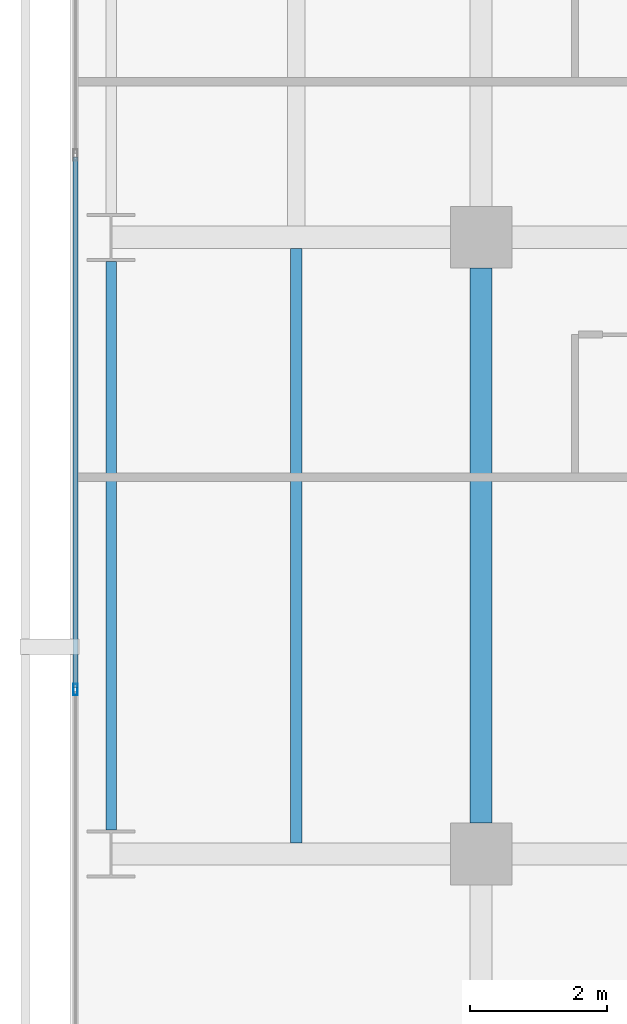
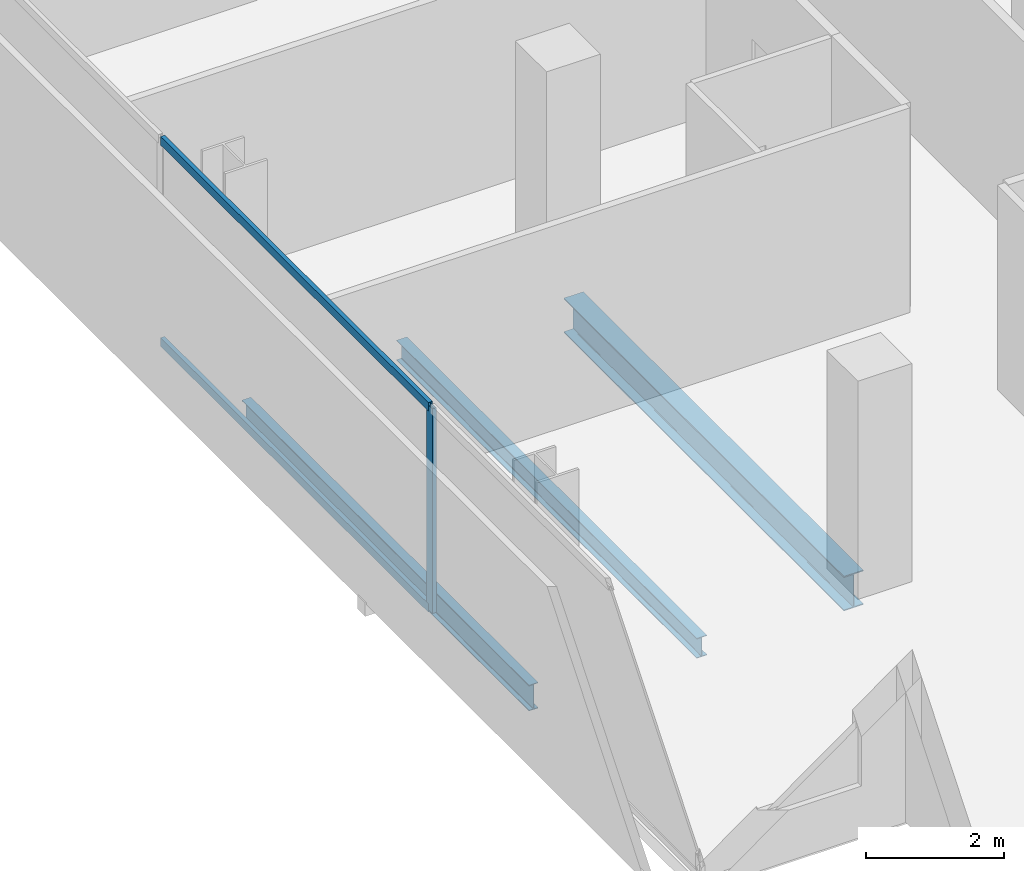
# One storey, part 5 of 40: 3 beams, 3 members, 1 element without a shape of its own.
"""IFC4 building model written with IfcOpenShell, lengths in metres."""

import ifcopenshell
import ifcopenshell.guid

model = None  # the IFC model being written
_history = None  # IfcOwnerHistory: only IFC2X3 demands one
_inside = {}  # id of a spatial element -> (the spatial element, [elements in it])
_under = {}  # id of a project, library or spatial element -> (it, [spatial elements below it])
_declared = {}  # id of a project -> (the project, [libraries it declares])
_typed = {}  # id of a type object -> (the type object, [elements of that type])
_made_of = {}  # id of a material, layer set ... -> (it, [elements and type objects made of it])


def new_model(schema):
    """Start an empty IFC model of exactly this schema.

    Asked for "IFC4X3", IfcOpenShell would pick the latest addendum, in which some entities
    have other attributes; the version numbers below select the first issue.
    IFC2X3 requires an IfcOwnerHistory on every rooted entity: one is made here for all.
    """
    global model, _history
    if schema == "IFC4X3":
        model = ifcopenshell.file(schema_version=(4, 3, 0, 0))
    else:
        model = ifcopenshell.file(schema=schema)
    _inside.clear()
    _under.clear()
    _declared.clear()
    _typed.clear()
    _made_of.clear()
    _history = None
    if model.schema == "IFC2X3":
        org = make("IfcOrganization", Name="unknown")
        user = make(
            "IfcPersonAndOrganization",
            ThePerson=make("IfcPerson", FamilyName="unknown"),
            TheOrganization=org,
        )
        app = make(
            "IfcApplication",
            ApplicationDeveloper=org,
            Version="unknown",
            ApplicationFullName="unknown",
            ApplicationIdentifier="unknown",
        )
        _history = make(
            "IfcOwnerHistory",
            OwningUser=user,
            OwningApplication=app,
            ChangeAction="ADDED",
            CreationDate=0,
        )
    return model


def make(cls, **values):
    """One entity of the class cls with the attributes given. An attribute that is None is left unset."""
    return model.create_entity(
        cls, **{name: value for name, value in values.items() if value is not None}
    )


def rooted(cls, **values):
    """An entity with a GlobalId (a new one), such as an element, a storey or a relation."""
    return make(cls, GlobalId=ifcopenshell.guid.new(), OwnerHistory=_history, **values)


def si_unit(unit_type, name, prefix=None):
    """IfcSIUnit, for example si_unit("LENGTHUNIT", "METRE", prefix="MILLI")."""
    return make("IfcSIUnit", UnitType=unit_type, Prefix=prefix, Name=name)


def assignment(units):
    """IfcUnitAssignment: the units of a project."""
    return None if units is None else make("IfcUnitAssignment", Units=units)


def point(xyz):
    """IfcCartesianPoint."""
    return None if xyz is None else make("IfcCartesianPoint", Coordinates=xyz)


def direction(xyz):
    """IfcDirection."""
    return None if xyz is None else make("IfcDirection", DirectionRatios=xyz)


def frame(location, z_axis=None, x_axis=None):
    """IfcAxis2Placement3D, a coordinate frame: its origin and axes. An axis left out is left unset."""
    return make(
        "IfcAxis2Placement3D",
        Location=point(location),
        Axis=direction(z_axis),
        RefDirection=direction(x_axis),
    )


def frame_2d(location, x_axis=None):
    """IfcAxis2Placement2D, a coordinate frame in the plane: its origin and x axis."""
    return make(
        "IfcAxis2Placement2D", Location=point(location), RefDirection=direction(x_axis)
    )


def origin():
    """The frame at (0, 0, 0) with its axes left unset."""
    return frame((0.0, 0.0, 0.0))


def origin_2d():
    """The frame at (0, 0) in the plane with its x axis left unset."""
    return frame_2d((0.0, 0.0))


def place(relative_to, where):
    """IfcLocalPlacement: puts the frame where relative to a parent placement (None: the world)."""
    return make(
        "IfcLocalPlacement", PlacementRelTo=relative_to, RelativePlacement=where
    )


def context(
    kind, dimensions, precision=None, world=None, true_north=None, identifier=None
):
    """IfcGeometricRepresentationContext, for example the 3D "Model" context."""
    return make(
        "IfcGeometricRepresentationContext",
        ContextIdentifier=identifier,
        ContextType=kind,
        CoordinateSpaceDimension=dimensions,
        Precision=precision,
        WorldCoordinateSystem=world,
        TrueNorth=true_north,
    )


def subcontext(parent, identifier, kind, view, scale=None):
    """IfcGeometricRepresentationSubContext, for example "Body" below "Model"."""
    return make(
        "IfcGeometricRepresentationSubContext",
        ContextIdentifier=identifier,
        ContextType=kind,
        ParentContext=parent,
        TargetScale=scale,
        TargetView=view,
    )


def project(units=None, contexts=None):
    """IfcProject with its units and contexts."""
    return rooted(
        "IfcProject",
        Name="project",
        RepresentationContexts=contexts,
        UnitsInContext=assignment(units),
    )


def spatial(cls, under=None, at=None, **own):
    """A site, building, storey or space (cls), placed at a placement, below another one or the project."""
    s = rooted(cls, ObjectPlacement=at, **own)
    if under is not None:
        _under.setdefault(under.id(), (under, []))[1].append(s)
    return s


def profile(cls, at=None, kind="AREA", **sizes):
    """A parametric profile (cls). Its sizes go by their IFC names, for example OverallWidth=200.0."""
    return make(cls, ProfileType=kind, Position=at, **sizes)


def hollow_rectangle(**sizes):
    """IfcRectangleHollowProfileDef."""
    return profile("IfcRectangleHollowProfileDef", **sizes)


def i_section(**sizes):
    """IfcIShapeProfileDef."""
    return profile("IfcIShapeProfileDef", **sizes)


def extrude(swept, where, along, depth):
    """IfcExtrudedAreaSolid: the profile swept, set in the frame where, extruded along a direction by depth."""
    return make(
        "IfcExtrudedAreaSolid",
        SweptArea=swept,
        Position=where,
        ExtrudedDirection=direction(along),
        Depth=depth,
    )


def shape(context_of_items, identifier, shape_type, items):
    """IfcShapeRepresentation: the items that make up one representation, for example the "Body"."""
    return make(
        "IfcShapeRepresentation",
        ContextOfItems=context_of_items,
        RepresentationIdentifier=identifier,
        RepresentationType=shape_type,
        Items=items,
    )


def material(Name=None, Category=None):
    """IfcMaterial."""
    return make("IfcMaterial", Name=Name, Category=Category)


def layer(
    of_material, thickness, ventilated=None, Name=None, Category=None, Priority=None
):
    """IfcMaterialLayer: one layer of a wall or slab, of a material (None: an air gap)."""
    return make(
        "IfcMaterialLayer",
        Material=of_material,
        LayerThickness=thickness,
        IsVentilated=ventilated,
        Name=Name,
        Category=Category,
        Priority=Priority,
    )


def layer_set(layers, Name=None):
    """IfcMaterialLayerSet."""
    return make("IfcMaterialLayerSet", MaterialLayers=layers, LayerSetName=Name)


def material_profile(
    of_material, cross_section, Name=None, Category=None, Priority=None
):
    """IfcMaterialProfile: a cross section and its material."""
    return make(
        "IfcMaterialProfile",
        Name=Name,
        Material=of_material,
        Profile=cross_section,
        Priority=Priority,
        Category=Category,
    )


def profile_set(profiles, Name=None, composite=None):
    """IfcMaterialProfileSet."""
    return make(
        "IfcMaterialProfileSet",
        Name=Name,
        MaterialProfiles=profiles,
        CompositeProfile=composite,
    )


def made_of(thing, what):
    """Note that an element or type object is made of a material, layer set ...; save() writes the relation."""
    if what is not None:
        _made_of.setdefault(what.id(), (what, []))[1].append(thing)
    return thing


def type_object(cls, material=None, **own):
    """A type object (cls), such as IfcWallType, which elements share."""
    return made_of(rooted(cls, **own), material)


def element(
    cls,
    number,
    at=None,
    inside=None,
    cuts=None,
    type_object=None,
    material=None,
    context=None,
    identifier="Body",
    shape_type=None,
    held_by="IfcProductDefinitionShape",
    body=None,
    shapes=None,
    **own,
):
    """One element of the class cls, such as IfcWall. Its Tag is "e" and its number.

    at: its placement. inside: the storey or other place that contains it. cuts: it is an
    opening in that element (IfcRelVoidsElement). A single representation is given by context,
    identifier, shape_type and body (its items); several are given by shapes. held_by: the class
    of the entity that holds the representations. save() writes the other relations.
    """
    e = rooted(cls, Tag="e%d" % number, ObjectPlacement=at, **own)
    if body is not None:
        shapes = [shape(context, identifier, shape_type, body)]
    if shapes is not None:
        e.Representation = make(held_by, Representations=shapes)
    if inside is not None:
        _inside.setdefault(inside.id(), (inside, []))[1].append(e)
    if cuts is not None:
        rooted(
            "IfcRelVoidsElement", RelatingBuildingElement=cuts, RelatedOpeningElement=e
        )
    if type_object is not None:
        _typed.setdefault(type_object.id(), (type_object, []))[1].append(e)
    return made_of(e, material)


def aggregate(whole, parts):
    """IfcRelAggregates: a whole, such as a stair, and the parts it consists of."""
    return rooted("IfcRelAggregates", RelatingObject=whole, RelatedObjects=parts)


def save(model, path):
    """Write the relations noted so far, then the file.

    IfcRelAggregates (storeys below a building ...), IfcRelContainedInSpatialStructure (elements
    in a storey), IfcRelDefinesByType, IfcRelAssociatesMaterial and IfcRelDeclares: one each for
    every whole, place, type object, material and project.
    """
    for whole, parts in _under.values():
        aggregate(whole, parts)
    for where, things in _inside.values():
        rooted(
            "IfcRelContainedInSpatialStructure",
            RelatedElements=things,
            RelatingStructure=where,
        )
    for kind, things in _typed.values():
        rooted("IfcRelDefinesByType", RelatedObjects=things, RelatingType=kind)
    for what, things in _made_of.values():
        rooted("IfcRelAssociatesMaterial", RelatedObjects=things, RelatingMaterial=what)
    for by, libraries in _declared.values():
        rooted("IfcRelDeclares", RelatingContext=by, RelatedDefinitions=libraries)
    model.write(path)


model = new_model("IFC4")

# Units and contexts
model_context = context("Model", 3, precision=1e-05, world=origin(), true_north=direction((0.0, 1.0)))
body_context = subcontext(model_context, "Body", "Model", "MODEL_VIEW")
ifc_project = project(units=[si_unit("LENGTHUNIT", "METRE"), si_unit("AREAUNIT", "SQUARE_METRE"), si_unit("VOLUMEUNIT", "CUBIC_METRE"), si_unit("PLANEANGLEUNIT", "RADIAN"), si_unit("MASSUNIT", "GRAM", prefix="KILO")], contexts=[model_context])

# Site, building, storey
site_placement = place(None, origin())
site = spatial("IfcSite", under=ifc_project, at=site_placement, CompositionType="ELEMENT")
building_placement = place(site_placement, origin())
building = spatial("IfcBuilding", under=site, at=building_placement, Name="Maruvema Waterfront Hotel and Observation Tower", CompositionType="ELEMENT")
storey_placement = place(building_placement, frame((0.0, 0.0, 88.550048828125)))
storey = spatial("IfcBuildingStorey", under=building, at=storey_placement, Name="L21", CompositionType="ELEMENT", Elevation=88.550048828125)

# Curtain wall, members
ifc_material_1 = material(Name="Anodised bronze aluminium and solar-control low-E IGU", Category="aluminium")
ifc_layer = layer(ifc_material_1, 0.159912109375, Name="Zone 1 Bronze Inner Thermal Curtain Wall System CW-02")
ifc_layer_set = layer_set([ifc_layer], Name="Anodised bronze aluminium and solar-control low-E IGU")
curtain_wall_type = type_object("IfcCurtainWallType", Name="Zone 1 Bronze Inner Thermal Curtain Wall System CW-02", PredefinedType="USERDEFINED", material=ifc_layer_set)
curtain_wall_placement = place(storey_placement, origin())
curtain_wall = element("IfcCurtainWall", 1, at=curtain_wall_placement, inside=storey, type_object=curtain_wall_type, Name="L21 Curtain Wall CW-L21-W", ObjectType="UNITISED CURTAIN WALL", PredefinedType="USERDEFINED")
ifc_material_2 = material(Name="Anodised architectural bronze aluminium", Category="aluminium")
ifc_material_profile_1 = material_profile(ifc_material_2, hollow_rectangle(XDim=0.070068359375, YDim=0.14990234375, WallThickness=0.00390625, at=origin_2d()), Name="ALU-T70x150")
ifc_profile_set_1 = profile_set([ifc_material_profile_1], Name="Anodised architectural bronze aluminium")
member_type_1 = type_object("IfcMemberType", Name="Curtain Wall Horizontal Transom ALU-T70x150", PredefinedType="USERDEFINED", material=ifc_profile_set_1)
member_1_placement = place(storey_placement, frame((10.8798828125, 19.169921875, 0.030029296875), z_axis=(0.0, -1.0, 0.0), x_axis=(1.0, 0.0, 0.0)))
member_1 = element("IfcMember", 2, at=member_1_placement, type_object=member_type_1, Name="CW-02 transom 5.1", ObjectType="TRANSOM", PredefinedType="USERDEFINED", context=body_context, shape_type="SweptSolid", body=[
    extrude(hollow_rectangle(XDim=0.070068359375, YDim=0.14990234375, WallThickness=0.00390625, at=origin_2d()), origin(), (0.0, 0.0, 1.0), 7.739990234375),
])
member_2_placement = place(storey_placement, frame((10.8798828125, 19.169921875, 3.579833984375), z_axis=(0.0, -1.0, 0.0), x_axis=(1.0, 0.0, 0.0)))
member_2 = element("IfcMember", 3, at=member_2_placement, type_object=member_type_1, Name="CW-02 transom 5.2", ObjectType="TRANSOM", PredefinedType="USERDEFINED", context=body_context, shape_type="SweptSolid", body=[
    extrude(hollow_rectangle(XDim=0.070068359375, YDim=0.14990234375, WallThickness=0.00390625, at=origin_2d()), origin(), (0.0, 0.0, 1.0), 7.739990234375),
])
ifc_material_3 = material(Name="Anodised architectural bronze aluminium", Category="aluminium")
ifc_material_profile_2 = material_profile(ifc_material_3, hollow_rectangle(XDim=0.06494140625, YDim=0.1650390625, WallThickness=0.00390625, at=origin_2d()), Name="ALU-M65x165")
ifc_profile_set_2 = profile_set([ifc_material_profile_2], Name="Anodised architectural bronze aluminium")
member_type_2 = type_object("IfcMemberType", Name="Curtain Wall Primary Mullion ALU-M65x165", PredefinedType="MULLION", material=ifc_profile_set_2)
member_3_placement = place(storey_placement, frame((10.8798828125, 11.39990234375, 0.0), z_axis=(0.0, 0.0, 1.0), x_axis=(1.0, 0.0, 0.0)))
member_3 = element("IfcMember", 4, at=member_3_placement, type_object=member_type_2, Name="CW-02 mullion 6", PredefinedType="MULLION", context=body_context, shape_type="SweptSolid", body=[
    extrude(hollow_rectangle(XDim=0.06494140625, YDim=0.1650390625, WallThickness=0.00390625, at=origin_2d()), origin(), (0.0, 0.0, 1.0), 3.60986328125),
])
aggregate(curtain_wall, [member_3, member_1, member_2])

# Beams
ifc_material_4 = material(Name="Steel ASTM A572 Grade 50", Category="steel")
ifc_material_profile_3 = material_profile(ifc_material_4, i_section(OverallWidth=0.153076171875, OverallDepth=0.455078125, WebThickness=0.008056640625, FlangeThickness=0.01318359375, FilletRadius=0.014892578125, at=origin_2d()), Name="W460x60.0")
ifc_profile_set_3 = profile_set([ifc_material_profile_3], Name="Steel ASTM A572 Grade 50")
beam_type_1 = type_object("IfcBeamType", Name="Perimeter Spandrel Beam W460x60.0", PredefinedType="SPANDREL", material=ifc_profile_set_3)
beam_1_placement = place(storey_placement, frame((11.39990234375, 9.35009765625, -0.467529296875), z_axis=(0.0, 1.0, 0.0), x_axis=(-1.0, 0.0, 0.0)))
element("IfcBeam", 5, at=beam_1_placement, inside=storey, type_object=beam_type_1, Name="L21 Floor Girder NS-01", PredefinedType="SPANDREL", context=body_context, shape_type="SweptSolid", body=[
    extrude(i_section(OverallWidth=0.153076171875, OverallDepth=0.455078125, WebThickness=0.008056640625, FlangeThickness=0.01318359375, FilletRadius=0.014892578125, at=origin_2d()), origin(), (0.0, 0.0, 1.0), 8.2998046875),
])
ifc_material_5 = material(Name="Steel ASTM A572 Grade 50", Category="steel")
ifc_material_profile_4 = material_profile(ifc_material_5, i_section(OverallWidth=0.323974609375, OverallDepth=0.611083984375, WebThickness=0.0126953125, FlangeThickness=0.01904296875, FilletRadius=0.01806640625, at=origin_2d()), Name="W610x155.0")
ifc_profile_set_4 = profile_set([ifc_material_profile_4], Name="Steel ASTM A572 Grade 50")
beam_type_2 = type_object("IfcBeamType", Name="Primary Floor Girder W610x155.0", PredefinedType="BEAM", material=ifc_profile_set_4)
beam_2_placement = place(storey_placement, frame((16.800048828125, 9.449951171875, -0.545654296875), z_axis=(0.0, 1.0, 0.0), x_axis=(-1.0, 0.0, 0.0)))
element("IfcBeam", 6, at=beam_2_placement, inside=storey, type_object=beam_type_2, Name="L21 Floor Girder NS-06", PredefinedType="BEAM", context=body_context, shape_type="SweptSolid", body=[
    extrude(i_section(OverallWidth=0.323974609375, OverallDepth=0.611083984375, WebThickness=0.0126953125, FlangeThickness=0.01904296875, FilletRadius=0.01806640625, at=origin_2d()), origin(), (0.0, 0.0, 1.0), 8.10009765625),
])
ifc_material_6 = material(Name="Steel ASTM A572 Grade 50", Category="steel")
ifc_material_profile_5 = material_profile(ifc_material_6, i_section(OverallWidth=0.1708984375, OverallDepth=0.35498046875, WebThickness=0.007080078125, FlangeThickness=0.01171875, FilletRadius=0.014892578125, at=origin_2d()), Name="W360x51.0")
ifc_profile_set_5 = profile_set([ifc_material_profile_5], Name="Steel ASTM A572 Grade 50")
beam_type_3 = type_object("IfcBeamType", Name="Secondary Floor Joist W360x51.0", PredefinedType="JOIST", material=ifc_profile_set_5)
beam_3_placement = place(storey_placement, frame((14.10009765625, 9.162109375, -0.41748046875), z_axis=(0.0, 1.0, 0.0), x_axis=(-1.0, 0.0, 0.0)))
element("IfcBeam", 7, at=beam_3_placement, inside=storey, type_object=beam_type_3, Name="L21 Secondary Floor Joist JS-01", PredefinedType="JOIST", context=body_context, shape_type="SweptSolid", body=[
    extrude(i_section(OverallWidth=0.1708984375, OverallDepth=0.35498046875, WebThickness=0.007080078125, FlangeThickness=0.01171875, FilletRadius=0.014892578125, at=origin_2d()), origin(), (0.0, 0.0, 1.0), 8.67578125),
])

save(model, "model.ifc")
